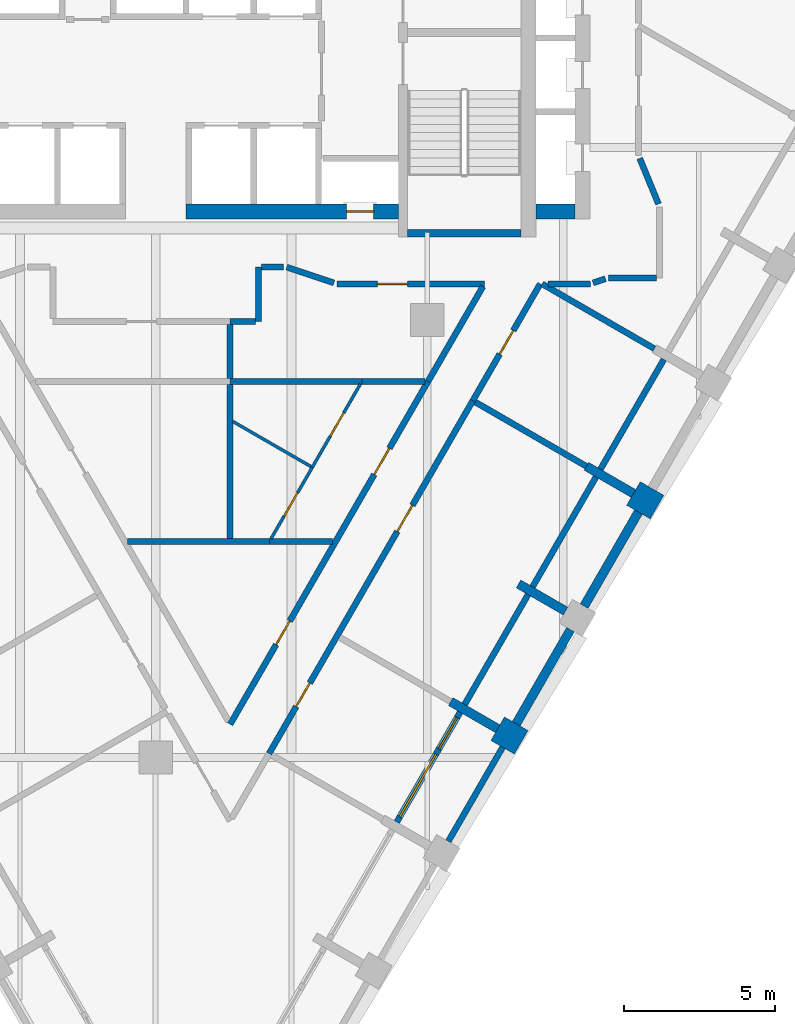
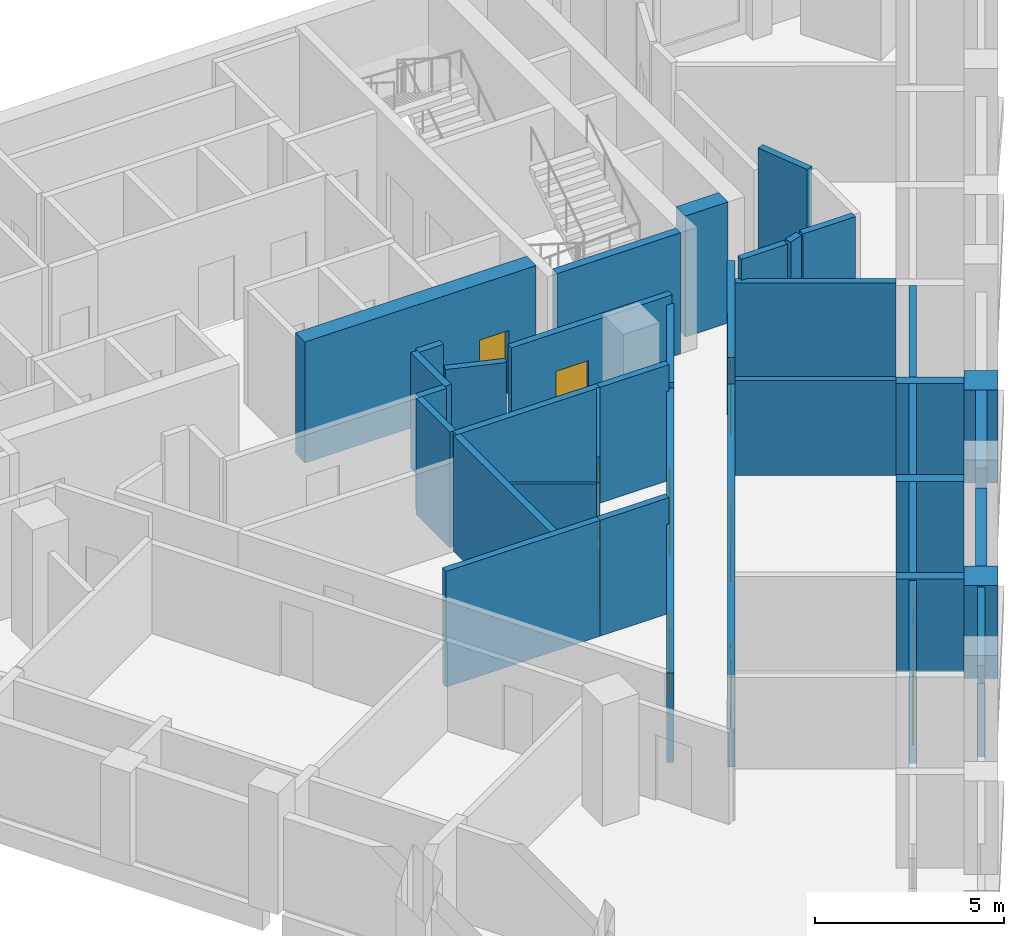
# One storey, part 4 of 9: 39 walls, 10 doors, 1 window, 11 openings.
"""IFC4 building model written with IfcOpenShell, lengths in metres."""

from ifc_helpers import new_model, si_unit, direction, frame, frame_2d, origin, place, context, subcontext, project, spatial, rectangle, extrude, material, layer, layer_set, type_object, element, fill, save


model = new_model("IFC4")

# Units and contexts
model_context = context("Model", 3, precision=1e-05, world=origin(), true_north=direction((0.0, 1.0)))
body_context = subcontext(model_context, "Body", "Model", "MODEL_VIEW")
ifc_project = project(units=[si_unit("LENGTHUNIT", "METRE"), si_unit("AREAUNIT", "SQUARE_METRE"), si_unit("VOLUMEUNIT", "CUBIC_METRE"), si_unit("PLANEANGLEUNIT", "RADIAN"), si_unit("MASSUNIT", "GRAM", prefix="KILO")], contexts=[model_context])

# Site, building, storey
site_placement = place(None, origin())
site = spatial("IfcSite", under=ifc_project, at=site_placement, CompositionType="ELEMENT")
building_placement = place(site_placement, origin())
building = spatial("IfcBuilding", under=site, at=building_placement, Name="Calabash Gate Tower", CompositionType="ELEMENT")
storey_placement = place(building_placement, frame((0.0, 0.0, 208.10009765625)))
storey = spatial("IfcBuildingStorey", under=building, at=storey_placement, Name="L49", CompositionType="ELEMENT", Elevation=208.10009765625)

# Walls
ifc_material_1 = material(Name="Terracotta brick masonry, exposed face", Category="masonry")
ifc_layer_1 = layer(ifc_material_1, 0.89990234375)
ifc_layer_set_1 = layer_set([ifc_layer_1], Name="Brick end wall 900")
wall_type_1 = type_object("IfcWallType", Name="Brick end wall 900", PredefinedType="SOLIDWALL", material=ifc_layer_set_1)
wall_1_placement = place(storey_placement, frame((11.49755859375, -11.65576171875, 0.0), z_axis=(0.0, 0.0, 1.0), x_axis=(0.50001992892, 0.866013897511, 0.0)))
element("IfcWall", 1, at=wall_1_placement, inside=storey, type_object=wall_type_1, Name="Brick pier S14 SE2.3", PredefinedType="SOLIDWALL", context=body_context, shape_type="SweptSolid", body=[
    extrude(rectangle(XDim=0.89990234375, YDim=0.89990234375, at=frame_2d((0.449951171875, 0.0))), origin(), (0.0, 0.0, 1.0), 3.0),
])
wall_2_placement = place(storey_placement, frame((16.6123046875, -3.697021484375, 0.0), z_axis=(0.0, 0.0, 1.0), x_axis=(-0.865964261186, 0.500105887137, 0.0)))
element("IfcWall", 2, at=wall_2_placement, inside=storey, type_object=wall_type_1, Name="Brick pier S14 SE2.5", PredefinedType="SOLIDWALL", context=body_context, shape_type="SweptSolid", body=[
    extrude(rectangle(XDim=0.900146484375, YDim=0.89990234375, at=frame_2d((0.4501953125, 0.0))), origin(), (0.0, 0.0, 1.0), 3.0),
])
ifc_material_2 = material(Name="Terracotta brick masonry, exposed face", Category="masonry")
ifc_layer_2 = layer(ifc_material_2, 0.300048828125)
ifc_layer_set_2 = layer_set([ifc_layer_2], Name="Brick infill panel wall 300")
wall_type_2 = type_object("IfcWallType", Name="Brick infill panel wall 300", PredefinedType="SOLIDWALL", material=ifc_layer_set_2)
for number, where, z_axis, x_axis, name in (
    (3, (11.947509765625, -10.87646484375, 0.0), (0.0, 0.0, 1.0), (0.500012057535, 0.866018442252, 0.0), "Brick panel S14 SE2.4"),
    (4, (14.197509765625, -6.979248046875, 0.0), (0.0, 0.0, 1.0), (0.500012057535, 0.866018442252, 0.0), "Brick panel S14 SE2.5"),
):
    element("IfcWall", number, at=place(storey_placement, frame(where, z_axis=z_axis, x_axis=x_axis)), inside=storey, type_object=wall_type_2, Name=name, PredefinedType="SOLIDWALL", context=body_context, shape_type="SweptSolid", body=[
        extrude(rectangle(XDim=3.60009765625, YDim=0.300048828125, at=frame_2d((1.800048828125, 0.0))), origin(), (0.0, 0.0, 1.0), 3.0),
    ])
ifc_material_3 = material(Name="Terracotta brick masonry, exposed face", Category="masonry")
ifc_layer_3 = layer(ifc_material_3, 0.300048828125)
ifc_layer_set_3 = layer_set([ifc_layer_3], Name="Brick loggia cheek wall 300")
wall_type_3 = type_object("IfcWallType", Name="Brick loggia cheek wall 300", PredefinedType="SOLIDWALL", material=ifc_layer_set_3)
for number, where, z_axis, x_axis, name in (
    (5, (11.332763671875, -11.041259765625, 0.0), (0.0, 0.0, 1.0), (-0.865989075817, 0.500062916607, 0.0), "Loggia cheek S14 SE2.3"),
    (6, (12.02392578125, -6.244140625, 0.0), (0.0, 0.0, 1.0), (0.866047807691, -0.499961193289, 0.0), "Loggia cheek S14 SE2.4"),
    (7, (15.832763671875, -3.246826171875, 0.0), (0.0, 0.0, 1.0), (-0.866047807691, 0.499961193289, 0.0), "Loggia cheek S14 SE2.5"),
):
    element("IfcWall", number, at=place(storey_placement, frame(where, z_axis=z_axis, x_axis=x_axis)), inside=storey, type_object=wall_type_3, Name=name, PredefinedType="SOLIDWALL", context=body_context, shape_type="SweptSolid", body=[
        extrude(rectangle(XDim=1.800048828125, YDim=0.300048828125, at=frame_2d((0.89990234375, 0.0))), origin(), (0.0, 0.0, 1.0), 3.0),
    ])
ifc_material_4 = material(Name="Concrete C70/85", Category="concrete")
ifc_layer_4 = layer(ifc_material_4, 0.25)
ifc_layer_set_4 = layer_set([ifc_layer_4], Name="Core wall 250 Concrete C70/85")
wall_type_4 = type_object("IfcWallType", Name="Core wall 250 Concrete C70/85", PredefinedType="SHEAR", material=ifc_layer_set_4)
wall_3_placement = place(storey_placement, frame((8.35009765625, 5.377685546875, 0.0), z_axis=(0.0, 0.0, 1.0), x_axis=(1.0, 0.0, 0.0)))
element("IfcWall", 8, at=wall_3_placement, inside=storey, type_object=wall_type_4, Name="Core wall Z4-SSE L49", PredefinedType="SHEAR", context=body_context, shape_type="SweptSolid", body=[
    extrude(rectangle(XDim=3.75, YDim=0.25, at=frame_2d((1.875, 0.0))), origin(), (0.0, 0.0, 1.0), 3.89990234375),
])

# Wall, opening, door
ifc_material_5 = material(Name="Concrete C70/85", Category="concrete")
ifc_layer_5 = layer(ifc_material_5, 0.5)
ifc_layer_set_5 = layer_set([ifc_layer_5], Name="Core wall 500 Concrete C70/85")
wall_type_5 = type_object("IfcWallType", Name="Core wall 500 Concrete C70/85", PredefinedType="SHEAR", material=ifc_layer_set_5)
wall_4_placement = place(storey_placement, frame((1.0, 6.1025390625, 0.0), z_axis=(0.0, 0.0, 1.0), x_axis=(1.0, 0.0, 0.0)))
wall_4 = element("IfcWall", 9, at=wall_4_placement, inside=storey, type_object=wall_type_5, Name="Core wall Z4-SB L49", PredefinedType="SHEAR", context=body_context, shape_type="SweptSolid", body=[
    extrude(rectangle(XDim=7.050048828125, YDim=0.5, at=frame_2d((3.52490234375, 0.0))), origin(), (0.0, 0.0, 1.0), 3.89990234375),
])
opening_1_placement = place(wall_4_placement, frame((5.324951171875, 0.0, 0.0)))
opening_1 = element("IfcOpeningElement", 10, at=opening_1_placement, cuts=wall_4, Name="Opening O6-015", PredefinedType="OPENING", context=body_context, shape_type="SweptSolid", body=[
    extrude(rectangle(XDim=0.89990234375, YDim=2.10009765625, at=frame_2d((0.449951171875, 1.050048828125))), frame((0.0, 0.260009765625, 0.0), z_axis=(0.0, -1.0, 0.0), x_axis=(1.0, 0.0, 0.0)), (0.0, 0.0, 1.0), 0.52001953125),
])
ifc_material_6 = material(Name="Steel fire door set with fire-resisting glazing", Category="steel")
door_type_1 = type_object("IfcDoorType", Name="Fire door D07 900x2100 FD90", OperationType="NOTDEFINED", PredefinedType="DOOR", material=ifc_material_6)
door_1_placement = place(opening_1_placement, origin())
door_1 = element("IfcDoor", 11, at=door_1_placement, inside=storey, type_object=door_type_1, Name="Mechanical Riser E door", OperationType="SINGLE_SWING_RIGHT", OverallHeight=2.10009765625, OverallWidth=0.89990234375, PredefinedType="DOOR", context=body_context, shape_type="SweptSolid", body=[
    extrude(rectangle(XDim=0.89990234375, YDim=2.10009765625, at=frame_2d((0.449951171875, 1.050048828125))), frame((0.0, 0.02490234375, 0.0), z_axis=(0.0, -1.0, 0.0), x_axis=(1.0, 0.0, 0.0)), (0.0, 0.0, 1.0), 0.050048828125),
])
fill(opening_1, door_1)

# Wall
wall_5_placement = place(storey_placement, frame((12.60009765625, 6.1025390625, 0.0), z_axis=(0.0, 0.0, 1.0), x_axis=(1.0, 0.0, 0.0)))
element("IfcWall", 12, at=wall_5_placement, inside=storey, type_object=wall_type_5, Name="Core wall Z4-SE L49", PredefinedType="SHEAR", context=body_context, shape_type="SweptSolid", body=[
    extrude(rectangle(XDim=1.2998046875, YDim=0.5, at=frame_2d((0.64990234375, 0.0))), origin(), (0.0, 0.0, 1.0), 3.89990234375),
])

# Wall, opening, door
ifc_material_7 = material(Name="Gypsum board on steel studs, mineral wool", Category="steel")
ifc_layer_6 = layer(ifc_material_7, 0.10009765625)
ifc_layer_set_6 = layer_set([ifc_layer_6], Name="Partition 100 gypsum board")
wall_type_6 = type_object("IfcWallType", Name="Partition 100 gypsum board", PredefinedType="PARTITIONING", material=ifc_layer_set_6)
wall_6_placement = place(storey_placement, frame((3.821044921875, -4.748291015625, 0.0), z_axis=(0.0, 0.0, 1.0), x_axis=(0.500518638442, 0.865725760603, 0.0)))
wall_6 = element("IfcWall", 13, at=wall_6_placement, inside=storey, type_object=wall_type_6, Name="Partition", PredefinedType="PARTITIONING", context=body_context, shape_type="SweptSolid", body=[
    extrude(rectangle(XDim=2.7333984375, YDim=0.10009765625, at=frame_2d((1.36669921875, 0.0))), origin(), (0.0, 0.0, 1.0), 2.884033203125),
])
opening_2_placement = place(wall_6_placement, frame((0.8671875, 0.0, 0.0)))
opening_2 = element("IfcOpeningElement", 14, at=opening_2_placement, cuts=wall_6, Name="Opening 49-51-017", PredefinedType="OPENING", context=body_context, shape_type="SweptSolid", body=[
    extrude(rectangle(XDim=0.89990234375, YDim=2.10009765625, at=frame_2d((0.449951171875, 1.050048828125))), frame((0.0, 0.06005859375, 0.0), z_axis=(0.0, -1.0, 0.0), x_axis=(1.0, 0.0, 0.0)), (0.0, 0.0, 1.0), 0.1201171875),
])
ifc_material_8 = material(Name="Painted timber door", Category="wood")
door_type_2 = type_object("IfcDoorType", Name="WD1 WC door 900x2100", OperationType="NOTDEFINED", PredefinedType="DOOR", material=ifc_material_8)
door_2_placement = place(opening_2_placement, origin())
door_2 = element("IfcDoor", 15, at=door_2_placement, inside=storey, type_object=door_type_2, Name="WC door", OperationType="SINGLE_SWING_LEFT", OverallHeight=2.10009765625, OverallWidth=0.89990234375, PredefinedType="DOOR", context=body_context, shape_type="SweptSolid", body=[
    extrude(rectangle(XDim=0.89990234375, YDim=2.10009765625, at=frame_2d((0.449951171875, 1.050048828125))), frame((0.0, 0.02490234375, 0.0), z_axis=(0.0, -1.0, 0.0), x_axis=(1.0, 0.0, 0.0)), (0.0, 0.0, 1.0), 0.050048828125),
])
fill(opening_2, door_2)

wall_7_placement = place(storey_placement, frame((5.188720703125, -2.37939453125, 0.0), z_axis=(0.0, 0.0, 1.0), x_axis=(0.500398861512, 0.865794998482, 0.0)))
wall_7 = element("IfcWall", 16, at=wall_7_placement, inside=storey, type_object=wall_type_6, Name="Partition", PredefinedType="PARTITIONING", context=body_context, shape_type="SweptSolid", body=[
    extrude(rectangle(XDim=3.1865234375, YDim=0.10009765625, at=frame_2d((1.59326171875, 0.0))), origin(), (0.0, 0.0, 1.0), 3.72998046875),
])
opening_3_placement = place(wall_7_placement, frame((1.1923828125, 0.0, 0.0)))
opening_3 = element("IfcOpeningElement", 17, at=opening_3_placement, cuts=wall_7, Name="Opening 49-51-018", PredefinedType="OPENING", context=body_context, shape_type="SweptSolid", body=[
    extrude(rectangle(XDim=0.89990234375, YDim=2.10009765625, at=frame_2d((0.449951171875, 1.050048828125))), frame((0.0, 0.06005859375, 0.0), z_axis=(0.0, -1.0, 0.0), x_axis=(1.0, 0.0, 0.0)), (0.0, 0.0, 1.0), 0.1201171875),
])
door_3_placement = place(opening_3_placement, origin())
door_3 = element("IfcDoor", 18, at=door_3_placement, inside=storey, type_object=door_type_2, Name="WC door", OperationType="SINGLE_SWING_RIGHT", OverallHeight=2.10009765625, OverallWidth=0.89990234375, PredefinedType="DOOR", context=body_context, shape_type="SweptSolid", body=[
    extrude(rectangle(XDim=0.89990234375, YDim=2.10009765625, at=frame_2d((0.449951171875, 1.050048828125))), frame((0.0, 0.02490234375, 0.0), z_axis=(0.0, -1.0, 0.0), x_axis=(1.0, 0.0, 0.0)), (0.0, 0.0, 1.0), 0.050048828125),
])
fill(opening_3, door_3)

# Wall
wall_8_placement = place(storey_placement, frame((2.552490234375, -0.857666015625, 0.0), z_axis=(0.0, 0.0, 1.0), x_axis=(0.866076950936, -0.499910707084, 0.0)))
element("IfcWall", 19, at=wall_8_placement, inside=storey, type_object=wall_type_6, Name="Partition", PredefinedType="PARTITIONING", context=body_context, shape_type="SweptSolid", body=[
    extrude(rectangle(XDim=2.99365234375, YDim=0.10009765625, at=frame_2d((1.496826171875, 0.0))), origin(), (0.0, 0.0, 1.0), 2.884033203125),
])

# Wall, openings, doors
ifc_material_9 = material(Name="Gypsum board on steel studs, mineral wool", Category="steel")
ifc_layer_7 = layer(ifc_material_9, 0.199951171875)
ifc_layer_set_7 = layer_set([ifc_layer_7], Name="Partition 200 gypsum board EI 60")
wall_type_7 = type_object("IfcWallType", Name="Partition 200 gypsum board EI 60", PredefinedType="PARTITIONING", material=ifc_layer_set_7)
wall_9_placement = place(storey_placement, frame((2.46923828125, -10.89306640625, 0.0), z_axis=(0.0, 0.0, 1.0), x_axis=(0.499769731946, 0.866158308296, 0.0)))
wall_9 = element("IfcWall", 20, at=wall_9_placement, inside=storey, type_object=wall_type_7, Name="Partition", PredefinedType="PARTITIONING", context=body_context, shape_type="SweptSolid", body=[
    extrude(rectangle(XDim=13.113037109375, YDim=0.199951171875, at=frame_2d((6.556640625, 0.0))), origin(), (0.0, 0.0, 1.0), 2.884033203125),
])
opening_4_placement = place(wall_9_placement, frame((3.047607421875, 0.0, 0.0)))
opening_4 = element("IfcOpeningElement", 21, at=opening_4_placement, cuts=wall_9, Name="Opening 49-51-009", PredefinedType="OPENING", context=body_context, shape_type="SweptSolid", body=[
    extrude(rectangle(XDim=0.89990234375, YDim=2.10009765625, at=frame_2d((0.449951171875, 1.050048828125))), frame((0.0, 0.10986328125, 0.0), z_axis=(0.0, -1.0, 0.0), x_axis=(1.0, 0.0, 0.0)), (0.0, 0.0, 1.0), 0.219970703125),
])
opening_5_placement = place(wall_9_placement, frame((9.5556640625, 0.0, 0.0)))
opening_5 = element("IfcOpeningElement", 22, at=opening_5_placement, cuts=wall_9, Name="Opening 49-51-016", PredefinedType="OPENING", context=body_context, shape_type="SweptSolid", body=[
    extrude(rectangle(XDim=1.0, YDim=2.10009765625, at=frame_2d((0.5, 1.050048828125))), frame((0.0, 0.10986328125, 0.0), z_axis=(0.0, -1.0, 0.0), x_axis=(1.0, 0.0, 0.0)), (0.0, 0.0, 1.0), 0.219970703125),
])
ifc_material_10 = material(Name="Steel fire door set with fire-resisting glazing", Category="steel")
door_type_3 = type_object("IfcDoorType", Name="SD3 Store door 900x2100", OperationType="NOTDEFINED", PredefinedType="DOOR", material=ifc_material_10)
door_4_placement = place(opening_4_placement, origin())
door_4 = element("IfcDoor", 23, at=door_4_placement, inside=storey, type_object=door_type_3, Name="Store door", OperationType="SINGLE_SWING_LEFT", OverallHeight=2.10009765625, OverallWidth=0.89990234375, PredefinedType="DOOR", context=body_context, shape_type="SweptSolid", body=[
    extrude(rectangle(XDim=0.89990234375, YDim=2.10009765625, at=frame_2d((0.449951171875, 1.050048828125))), frame((0.0, 0.02490234375, 0.0), z_axis=(0.0, -1.0, 0.0), x_axis=(1.0, 0.0, 0.0)), (0.0, 0.0, 1.0), 0.050048828125),
])
fill(opening_4, door_4)
ifc_material_11 = material(Name="Steel fire door set with fire-resisting glazing", Category="steel")
door_type_4 = type_object("IfcDoorType", Name="WD3 WC lobby door 1000x2100", OperationType="NOTDEFINED", PredefinedType="DOOR", material=ifc_material_11)
door_5_placement = place(opening_5_placement, origin())
door_5 = element("IfcDoor", 24, at=door_5_placement, inside=storey, type_object=door_type_4, Name="WC lobby door", OperationType="SINGLE_SWING_RIGHT", OverallHeight=2.10009765625, OverallWidth=1.0, PredefinedType="DOOR", context=body_context, shape_type="SweptSolid", body=[
    extrude(rectangle(XDim=1.0, YDim=2.10009765625, at=frame_2d((0.5, 1.050048828125))), frame((0.0, 0.02490234375, 0.0), z_axis=(0.0, -1.0, 0.0), x_axis=(1.0, 0.0, 0.0)), (0.0, 0.0, 1.0), 0.050048828125),
])
fill(opening_5, door_5)

# Walls
wall_10_placement = place(storey_placement, frame((-0.92529296875, -4.8369140625, 0.0), z_axis=(0.0, 0.0, 1.0), x_axis=(0.999999933905, 0.000363579678, 0.0)))
element("IfcWall", 25, at=wall_10_placement, inside=storey, type_object=wall_type_7, Name="Partition", PredefinedType="PARTITIONING", context=body_context, shape_type="SweptSolid", body=[
    extrude(rectangle(XDim=4.700439453125, YDim=0.199951171875, at=frame_2d((2.35009765625, 0.0))), origin(), (0.0, 0.0, 1.0), 3.72998046875),
])
wall_11_placement = place(storey_placement, frame((3.77099609375, -4.835205078125, 0.0), z_axis=(0.0, 0.0, 1.0), x_axis=(0.999999666495, -0.00081670723, 0.0)))
element("IfcWall", 26, at=wall_11_placement, inside=storey, type_object=wall_type_7, Name="Partition", PredefinedType="PARTITIONING", context=body_context, shape_type="SweptSolid", body=[
    extrude(rectangle(XDim=2.092529296875, YDim=0.199951171875, at=frame_2d((1.04638671875, 0.0))), origin(), (0.0, 0.0, 1.0), 3.72998046875),
])
wall_12_placement = place(storey_placement, frame((10.59619140625, -0.22119140625, 0.0), z_axis=(0.0, 0.0, 1.0), x_axis=(0.86582081126, -0.500354197333, 0.0)))
element("IfcWall", 27, at=wall_12_placement, inside=storey, type_object=wall_type_7, Name="Partition", PredefinedType="PARTITIONING", context=body_context, shape_type="SweptSolid", body=[
    extrude(rectangle(XDim=4.248046875, YDim=0.199951171875, at=frame_2d((2.1240234375, 0.0))), origin(), (0.0, 0.0, 1.0), 3.0517578125),
])

# Wall, openings, doors
wall_13_placement = place(storey_placement, frame((3.758544921875, -11.8642578125, 0.0), z_axis=(0.0, 0.0, 1.0), x_axis=(0.499997969693, 0.866026575979, 0.0)))
wall_13 = element("IfcWall", 28, at=wall_13_placement, inside=storey, type_object=wall_type_7, Name="Partition", PredefinedType="PARTITIONING", context=body_context, shape_type="SweptSolid", body=[
    extrude(rectangle(XDim=13.5, YDim=0.199951171875, at=frame_2d((6.75, 0.0))), origin(), (0.0, 0.0, 1.0), 2.884033203125),
])
opening_6_placement = place(wall_13_placement, frame((1.7998046875, 0.0, 0.0)))
opening_6 = element("IfcOpeningElement", 29, at=opening_6_placement, cuts=wall_13, Name="Opening 49-51-003", PredefinedType="OPENING", context=body_context, shape_type="SweptSolid", body=[
    extrude(rectangle(XDim=0.89990234375, YDim=2.10009765625, at=frame_2d((0.449951171875, 1.050048828125))), frame((0.0, 0.10986328125, 0.0), z_axis=(0.0, -1.0, 0.0), x_axis=(1.0, 0.0, 0.0)), (0.0, 0.0, 1.0), 0.219970703125),
])
opening_7_placement = place(wall_13_placement, frame((8.5, 0.0, 0.0)))
opening_7 = element("IfcOpeningElement", 30, at=opening_7_placement, cuts=wall_13, Name="Opening 49-51-004", PredefinedType="OPENING", context=body_context, shape_type="SweptSolid", body=[
    extrude(rectangle(XDim=1.0, YDim=2.39990234375, at=frame_2d((0.5, 1.199951171875))), frame((0.0, 0.10986328125, 0.0), z_axis=(0.0, -1.0, 0.0), x_axis=(1.0, 0.0, 0.0)), (0.0, 0.0, 1.0), 0.219970703125),
])
ifc_material_12 = material(Name="Painted timber door", Category="wood")
door_type_5 = type_object("IfcDoorType", Name="OD1 Office door 900x2100", OperationType="NOTDEFINED", PredefinedType="DOOR", material=ifc_material_12)
door_6_placement = place(opening_6_placement, origin())
door_6 = element("IfcDoor", 31, at=door_6_placement, inside=storey, type_object=door_type_5, Name="Office door", OperationType="SINGLE_SWING_RIGHT", OverallHeight=2.10009765625, OverallWidth=0.89990234375, PredefinedType="DOOR", context=body_context, shape_type="SweptSolid", body=[
    extrude(rectangle(XDim=0.89990234375, YDim=2.10009765625, at=frame_2d((0.449951171875, 1.050048828125))), frame((0.0, 0.02490234375, 0.0), z_axis=(0.0, -1.0, 0.0), x_axis=(1.0, 0.0, 0.0)), (0.0, 0.0, 1.0), 0.050048828125),
])
fill(opening_6, door_6)
ifc_material_13 = material(Name="Painted timber door", Category="wood")
door_type_6 = type_object("IfcDoorType", Name="OD2 Glazed office door 1000x2400", OperationType="NOTDEFINED", PredefinedType="DOOR", material=ifc_material_13)
door_7_placement = place(opening_7_placement, origin())
door_7 = element("IfcDoor", 32, at=door_7_placement, inside=storey, type_object=door_type_6, Name="Glazed office door", OperationType="SINGLE_SWING_LEFT", OverallHeight=2.39990234375, OverallWidth=1.0, PredefinedType="DOOR", context=body_context, shape_type="SweptSolid", body=[
    extrude(rectangle(XDim=1.0, YDim=2.39990234375, at=frame_2d((0.5, 1.199951171875))), frame((0.0, 0.02490234375, 0.0), z_axis=(0.0, -1.0, 0.0), x_axis=(1.0, 0.0, 0.0)), (0.0, 0.0, 1.0), 0.050048828125),
])
fill(opening_7, door_7)

# Walls
wall_14_placement = place(storey_placement, frame((2.4677734375, -4.835205078125, 0.0), z_axis=(0.0, 0.0, 1.0), x_axis=(0.0, 1.0, 0.0)))
element("IfcWall", 33, at=wall_14_placement, inside=storey, type_object=wall_type_7, Name="Partition", PredefinedType="PARTITIONING", context=body_context, shape_type="SweptSolid", body=[
    extrude(rectangle(XDim=5.19921875, YDim=0.199951171875, at=frame_2d((2.599609375, 0.0))), origin(), (0.0, 0.0, 1.0), 3.72998046875),
])
wall_15_placement = place(storey_placement, frame((6.83349609375, 0.4658203125, 0.0), z_axis=(0.0, 0.0, 1.0), x_axis=(0.999999665949, -0.000817374785, 0.0)))
element("IfcWall", 34, at=wall_15_placement, inside=storey, type_object=wall_type_7, Name="Partition", PredefinedType="PARTITIONING", context=body_context, shape_type="SweptSolid", body=[
    extrude(rectangle(XDim=2.0908203125, YDim=0.199951171875, at=frame_2d((1.04541015625, 0.0))), origin(), (0.0, 0.0, 1.0), 3.72998046875),
])
wall_16_placement = place(storey_placement, frame((2.4677734375, 0.464111328125, 0.0), z_axis=(0.0, 0.0, 1.0), x_axis=(0.999999923373, 0.000391476957, 0.0)))
element("IfcWall", 35, at=wall_16_placement, inside=storey, type_object=wall_type_7, Name="Partition", PredefinedType="PARTITIONING", context=body_context, shape_type="SweptSolid", body=[
    extrude(rectangle(XDim=4.365478515625, YDim=0.199951171875, at=frame_2d((2.1826171875, 0.0))), origin(), (0.0, 0.0, 1.0), 3.72998046875),
])
wall_17_placement = place(storey_placement, frame((9.025390625, 0.466064453125, 0.0), z_axis=(0.0, 0.0, 1.0), x_axis=(0.500421935149, 0.865781662327, 0.0)))
element("IfcWall", 36, at=wall_17_placement, inside=storey, type_object=wall_type_7, Name="Partition", PredefinedType="PARTITIONING", context=body_context, shape_type="SweptSolid", body=[
    extrude(rectangle(XDim=3.635009765625, YDim=0.199951171875, at=frame_2d((1.8173828125, 0.0))), origin(), (0.0, 0.0, 1.0), 3.0517578125),
])
wall_18_placement = place(storey_placement, frame((2.466064453125, 0.56591796875, 0.0), z_axis=(0.0, 0.0, 1.0), x_axis=(0.000820793157, 0.999999663149, 0.0)))
element("IfcWall", 37, at=wall_18_placement, inside=storey, type_object=wall_type_7, Name="Partition", PredefinedType="PARTITIONING", context=body_context, shape_type="SweptSolid", body=[
    extrude(rectangle(XDim=1.78466796875, YDim=0.199951171875, at=frame_2d((0.892333984375, 0.0))), origin(), (0.0, 0.0, 1.0), 3.72998046875),
])
wall_19_placement = place(storey_placement, frame((2.4677734375, 2.45068359375, 0.0), z_axis=(0.0, 0.0, 1.0), x_axis=(0.999997893042, 0.002052781599, 0.0)))
element("IfcWall", 38, at=wall_19_placement, inside=storey, type_object=wall_type_7, Name="Partition", PredefinedType="PARTITIONING", context=body_context, shape_type="SweptSolid", body=[
    extrude(rectangle(XDim=0.83251953125, YDim=0.199951171875, at=frame_2d((0.416259765625, 0.0))), origin(), (0.0, 0.0, 1.0), 3.72998046875),
])

# Wall, opening, door
wall_20_placement = place(storey_placement, frame((6.0, 3.69970703125, 0.0), z_axis=(0.0, 0.0, 1.0), x_axis=(1.0, 0.0, 0.0)))
wall_20 = element("IfcWall", 39, at=wall_20_placement, inside=storey, type_object=wall_type_7, Name="Partition", PredefinedType="PARTITIONING", context=body_context, shape_type="SweptSolid", body=[
    extrude(rectangle(XDim=4.894287109375, YDim=0.199951171875, at=frame_2d((2.447265625, 0.0))), origin(), (0.0, 0.0, 1.0), 3.33154296875),
])
opening_8_placement = place(wall_20_placement, frame((1.34716796875, 0.0, 0.0)))
opening_8 = element("IfcOpeningElement", 40, at=opening_8_placement, cuts=wall_20, Name="Opening 49-51-007", PredefinedType="OPENING", context=body_context, shape_type="SweptSolid", body=[
    extrude(rectangle(XDim=1.0, YDim=2.10009765625, at=frame_2d((0.5, 1.050048828125))), frame((0.0, 0.10986328125, 0.0), z_axis=(0.0, -1.0, 0.0), x_axis=(1.0, 0.0, 0.0)), (0.0, 0.0, 1.0), 0.219970703125),
])
ifc_material_14 = material(Name="Steel fire door set with fire-resisting glazing", Category="steel")
door_type_7 = type_object("IfcDoorType", Name="VD1 Vault door 1000x2100", OperationType="NOTDEFINED", PredefinedType="DOOR", material=ifc_material_14)
door_8_placement = place(opening_8_placement, origin())
door_8 = element("IfcDoor", 41, at=door_8_placement, inside=storey, type_object=door_type_7, Name="Vault door", OperationType="SINGLE_SWING_RIGHT", OverallHeight=2.10009765625, OverallWidth=1.0, PredefinedType="DOOR", context=body_context, shape_type="SweptSolid", body=[
    extrude(rectangle(XDim=1.0, YDim=2.10009765625, at=frame_2d((0.5, 1.050048828125))), frame((0.0, 0.02490234375, 0.0), z_axis=(0.0, -1.0, 0.0), x_axis=(1.0, 0.0, 0.0)), (0.0, 0.0, 1.0), 0.050048828125),
])
fill(opening_8, door_8)

wall_21_placement = place(storey_placement, frame((10.509521484375, -0.171142578125, 0.0), z_axis=(0.0, 0.0, 1.0), x_axis=(0.499676732976, 0.86621196166, 0.0)))
wall_21 = element("IfcWall", 42, at=wall_21_placement, inside=storey, type_object=wall_type_7, Name="Partition", PredefinedType="PARTITIONING", context=body_context, shape_type="SweptSolid", body=[
    extrude(rectangle(XDim=4.46875, YDim=0.199951171875, at=frame_2d((2.234375, 0.0))), origin(), (0.0, 0.0, 1.0), 3.72998046875),
])
opening_9_placement = place(wall_21_placement, frame((1.783447265625, 0.0, 0.0)))
opening_9 = element("IfcOpeningElement", 43, at=opening_9_placement, cuts=wall_21, Name="Opening 49-51-005", PredefinedType="OPENING", context=body_context, shape_type="SweptSolid", body=[
    extrude(rectangle(XDim=0.89990234375, YDim=2.10009765625, at=frame_2d((0.449951171875, 1.050048828125))), frame((0.0, 0.10986328125, 0.0), z_axis=(0.0, -1.0, 0.0), x_axis=(1.0, 0.0, 0.0)), (0.0, 0.0, 1.0), 0.219970703125),
])
door_9_placement = place(opening_9_placement, origin())
door_9 = element("IfcDoor", 44, at=door_9_placement, inside=storey, type_object=door_type_3, Name="Store door", OperationType="SINGLE_SWING_RIGHT", OverallHeight=2.10009765625, OverallWidth=0.89990234375, PredefinedType="DOOR", context=body_context, shape_type="SweptSolid", body=[
    extrude(rectangle(XDim=0.89990234375, YDim=2.10009765625, at=frame_2d((0.449951171875, 1.050048828125))), frame((0.0, 0.02490234375, 0.0), z_axis=(0.0, -1.0, 0.0), x_axis=(1.0, 0.0, 0.0)), (0.0, 0.0, 1.0), 0.050048828125),
])
fill(opening_9, door_9)

# Walls
wall_22_placement = place(storey_placement, frame((12.805419921875, 3.699462890625, 0.0), z_axis=(0.0, 0.0, 1.0), x_axis=(0.86584756398, -0.500307901146, 0.0)))
element("IfcWall", 45, at=wall_22_placement, inside=storey, type_object=wall_type_7, Name="Partition", PredefinedType="PARTITIONING", context=body_context, shape_type="SweptSolid", body=[
    extrude(rectangle(XDim=4.295166015625, YDim=0.199951171875, at=frame_2d((2.1474609375, 0.0))), origin(), (0.0, 0.0, 1.0), 3.0517578125),
])
wall_23_placement = place(storey_placement, frame((13.007568359375, 3.6982421875, 0.0), z_axis=(0.0, 0.0, 1.0), x_axis=(0.999999615671, 0.000876731208, 0.0)))
element("IfcWall", 46, at=wall_23_placement, inside=storey, type_object=wall_type_7, Name="Partition", PredefinedType="PARTITIONING", context=body_context, shape_type="SweptSolid", body=[
    extrude(rectangle(XDim=1.392333984375, YDim=0.199951171875, at=frame_2d((0.6962890625, 0.0))), origin(), (0.0, 0.0, 1.0), 3.72998046875),
])
wall_24_placement = place(storey_placement, frame((4.34228515625, 4.25244140625, 0.0), z_axis=(0.0, 0.0, 1.0), x_axis=(0.948668476379, -0.316272227557, 0.0)))
element("IfcWall", 47, at=wall_24_placement, inside=storey, type_object=wall_type_7, Name="Partition", PredefinedType="PARTITIONING", context=body_context, shape_type="SweptSolid", body=[
    extrude(rectangle(XDim=1.647216796875, YDim=0.199951171875, at=frame_2d((0.82373046875, 0.0))), origin(), (0.0, 0.0, 1.0), 2.884033203125),
])
wall_25_placement = place(storey_placement, frame((14.494873046875, 3.731201171875, 0.0), z_axis=(0.0, 0.0, 1.0), x_axis=(0.948739721949, 0.316058443957, 0.0)))
element("IfcWall", 48, at=wall_25_placement, inside=storey, type_object=wall_type_7, Name="Partition", PredefinedType="PARTITIONING", context=body_context, shape_type="SweptSolid", body=[
    extrude(rectangle(XDim=0.4326171875, YDim=0.199951171875, at=frame_2d((0.21630859375, 0.0))), origin(), (0.0, 0.0, 1.0), 3.72998046875),
])
wall_26_placement = place(storey_placement, frame((15.0, 3.8994140625, 0.0), z_axis=(0.0, 0.0, 1.0), x_axis=(0.999999953468, 0.000305064049, 0.0)))
element("IfcWall", 49, at=wall_26_placement, inside=storey, type_object=wall_type_7, Name="Partition", PredefinedType="PARTITIONING", context=body_context, shape_type="SweptSolid", body=[
    extrude(rectangle(XDim=1.6005859375, YDim=0.199951171875, at=frame_2d((0.80029296875, 0.0))), origin(), (0.0, 0.0, 1.0), 3.72998046875),
])
wall_27_placement = place(storey_placement, frame((3.400146484375, 2.452392578125, 0.0), z_axis=(0.0, 0.0, 1.0), x_axis=(0.001086217961, 0.999999410065, 0.0)))
element("IfcWall", 50, at=wall_27_placement, inside=storey, type_object=wall_type_7, Name="Partition", PredefinedType="PARTITIONING", context=body_context, shape_type="SweptSolid", body=[
    extrude(rectangle(XDim=1.798095703125, YDim=0.199951171875, at=frame_2d((0.89892578125, 0.0))), origin(), (0.0, 0.0, 1.0), 3.72998046875),
])
wall_28_placement = place(storey_placement, frame((3.501953125, 4.250732421875, 0.0), z_axis=(0.0, 0.0, 1.0), x_axis=(0.999998041999, 0.001978887946, 0.0)))
element("IfcWall", 51, at=wall_28_placement, inside=storey, type_object=wall_type_7, Name="Partition", PredefinedType="PARTITIONING", context=body_context, shape_type="SweptSolid", body=[
    extrude(rectangle(XDim=0.740234375, YDim=0.199951171875, at=frame_2d((0.3701171875, 0.0))), origin(), (0.0, 0.0, 1.0), 3.72998046875),
])
wall_29_placement = place(storey_placement, frame((16.03857421875, 7.860107421875, 0.0), z_axis=(0.0, 0.0, 1.0), x_axis=(0.380749805254, -0.924678098475, 0.0)))
element("IfcWall", 52, at=wall_29_placement, inside=storey, type_object=wall_type_7, Name="Partition", PredefinedType="PARTITIONING", context=body_context, shape_type="SweptSolid", body=[
    extrude(rectangle(XDim=1.63818359375, YDim=0.199951171875, at=frame_2d((0.819091796875, 0.0))), origin(), (0.0, 0.0, 1.0), 3.72998046875),
])
ifc_material_15 = material(Name="Terracotta brick masonry, perforated", Category="masonry")
ifc_layer_8 = layer(ifc_material_15, 0.199951171875)
ifc_layer_set_8 = layer_set([ifc_layer_8], Name="Terracotta jaali screen B")
wall_type_8 = type_object("IfcWallType", Name="Terracotta jaali screen B", PredefinedType="SOLIDWALL", material=ifc_layer_set_8)
wall_30_placement = place(storey_placement, frame((9.697509765625, -14.7734375, 0.0), z_axis=(0.0, 0.0, 1.0), x_axis=(0.500012057535, 0.866018442252, 0.0)))
element("IfcWall", 53, at=wall_30_placement, inside=storey, type_object=wall_type_8, Name="SCREEN B S14 SE2.3", PredefinedType="SOLIDWALL", context=body_context, shape_type="SweptSolid", body=[
    extrude(rectangle(XDim=3.60009765625, YDim=0.199951171875, at=frame_2d((1.800048828125, 0.0))), origin(), (0.0, 0.0, 1.0), 2.949951171875),
])

# Wall, openings, door, window
ifc_material_16 = material(Name="Aluminium framed window wall with insulated spandrel", Category="aluminium")
ifc_layer_9 = layer(ifc_material_16, 0.199951171875)
ifc_layer_set_9 = layer_set([ifc_layer_9], Name="Window wall 200")
wall_type_9 = type_object("IfcWallType", Name="Window wall 200", PredefinedType="ELEMENTEDWALL", material=ifc_layer_set_9)
wall_31_placement = place(storey_placement, frame((7.98876953125, -14.13330078125, 0.0), z_axis=(0.0, 0.0, 1.0), x_axis=(0.500027713859, 0.866009402589, 0.0)))
wall_31 = element("IfcWall", 54, at=wall_31_placement, inside=storey, type_object=wall_type_9, Name="Window wall S14 SE2.3", PredefinedType="ELEMENTEDWALL", context=body_context, shape_type="SweptSolid", body=[
    extrude(rectangle(XDim=4.199951171875, YDim=0.199951171875, at=frame_2d((2.10009765625, 0.0))), origin(), (0.0, 0.0, 1.0), 2.949951171875),
])
opening_10_placement = place(wall_31_placement, frame((0.199951171875, 0.0, 0.449951171875)))
opening_10 = element("IfcOpeningElement", 55, at=opening_10_placement, cuts=wall_31, Name="Opening OW1", PredefinedType="OPENING", context=body_context, shape_type="SweptSolid", body=[
    extrude(rectangle(XDim=2.39990234375, YDim=2.25, at=frame_2d((1.199951171875, 1.125))), frame((0.0, 0.10986328125, 0.0), z_axis=(0.0, -1.0, 0.0), x_axis=(1.0, 0.0, 0.0)), (0.0, 0.0, 1.0), 0.219970703125),
])
opening_11_placement = place(wall_31_placement, frame((2.800048828125, 0.0, 0.0)))
opening_11 = element("IfcOpeningElement", 56, at=opening_11_placement, cuts=wall_31, Name="Opening O6-023", PredefinedType="OPENING", context=body_context, shape_type="SweptSolid", body=[
    extrude(rectangle(XDim=1.199951171875, YDim=2.699951171875, at=frame_2d((0.60009765625, 1.35009765625))), frame((0.0, 0.10986328125, 0.0), z_axis=(0.0, -1.0, 0.0), x_axis=(1.0, 0.0, 0.0)), (0.0, 0.0, 1.0), 0.219970703125),
])
ifc_material_17 = material(Name="Anodised aluminium frame, bronze finish, impact-rated laminated clear glazing", Category="aluminium")
door_type_8 = type_object("IfcDoorType", Name="Loggia door DO1 1200x2700", OperationType="SLIDING_TO_LEFT", PredefinedType="DOOR", material=ifc_material_17)
door_10_placement = place(opening_11_placement, origin())
door_10 = element("IfcDoor", 57, at=door_10_placement, inside=storey, type_object=door_type_8, Name="Loggia door S14 SE2.3", OperationType="SINGLE_SWING_LEFT", OverallHeight=2.699951171875, OverallWidth=1.199951171875, PredefinedType="DOOR", context=body_context, shape_type="SweptSolid", body=[
    extrude(rectangle(XDim=1.199951171875, YDim=2.699951171875, at=frame_2d((0.60009765625, 1.35009765625))), frame((0.0, 0.02490234375, 0.0), z_axis=(0.0, -1.0, 0.0), x_axis=(1.0, 0.0, 0.0)), (0.0, 0.0, 1.0), 0.050048828125),
])
fill(opening_11, door_10)
ifc_material_18 = material(Name="Anodised aluminium frame, bronze finish, impact-rated laminated clear glazing", Category="aluminium")
window_type = type_object("IfcWindowType", Name="Window OW1 2400x2250", PartitioningType="DOUBLE_PANEL_VERTICAL", PredefinedType="WINDOW", material=ifc_material_18)
window_placement = place(opening_10_placement, origin())
window = element("IfcWindow", 58, at=window_placement, inside=storey, type_object=window_type, Name="Window OW1 S14 SE2.3", OverallHeight=2.25, OverallWidth=2.39990234375, PartitioningType="SINGLE_PANEL", PredefinedType="WINDOW", context=body_context, shape_type="SweptSolid", body=[
    extrude(rectangle(XDim=2.39990234375, YDim=2.25, at=frame_2d((1.199951171875, 1.125))), frame((0.0, 0.030029296875, 0.0), z_axis=(0.0, -1.0, 0.0), x_axis=(1.0, 0.0, 0.0)), (0.0, 0.0, 1.0), 0.06005859375),
])
fill(opening_10, window)

# Walls
wall_32_placement = place(storey_placement, frame((10.23876953125, -10.236328125, 0.0), z_axis=(0.0, 0.0, 1.0), x_axis=(0.500002543286, 0.866023935413, 0.0)))
element("IfcWall", 59, at=wall_32_placement, inside=storey, type_object=wall_type_9, Name="Window wall S14 SE2.4", PredefinedType="ELEMENTEDWALL", context=body_context, shape_type="SweptSolid", body=[
    extrude(rectangle(XDim=4.2001953125, YDim=0.199951171875, at=frame_2d((2.10009765625, 0.0))), origin(), (0.0, 0.0, 1.0), 3.0),
])
for number, where, z_axis, x_axis, name in (
    (60, (12.48876953125, -6.339111328125, 0.0), (0.0, 0.0, 1.0), (0.500027713859, 0.866009402589, 0.0), "Window wall S14 SE2.5"),
    (61, (14.73876953125, -2.44189453125, 0.0), (0.0, 0.0, 1.0), (0.500027713859, 0.866009402589, 0.0), "Window wall S14 SE2.6"),
):
    element("IfcWall", number, at=place(storey_placement, frame(where, z_axis=z_axis, x_axis=x_axis)), inside=storey, type_object=wall_type_9, Name=name, PredefinedType="ELEMENTEDWALL", context=body_context, shape_type="SweptSolid", body=[
        extrude(rectangle(XDim=4.199951171875, YDim=0.199951171875, at=frame_2d((2.10009765625, 0.0))), origin(), (0.0, 0.0, 1.0), 3.0),
    ])

save(model, "model.ifc")
